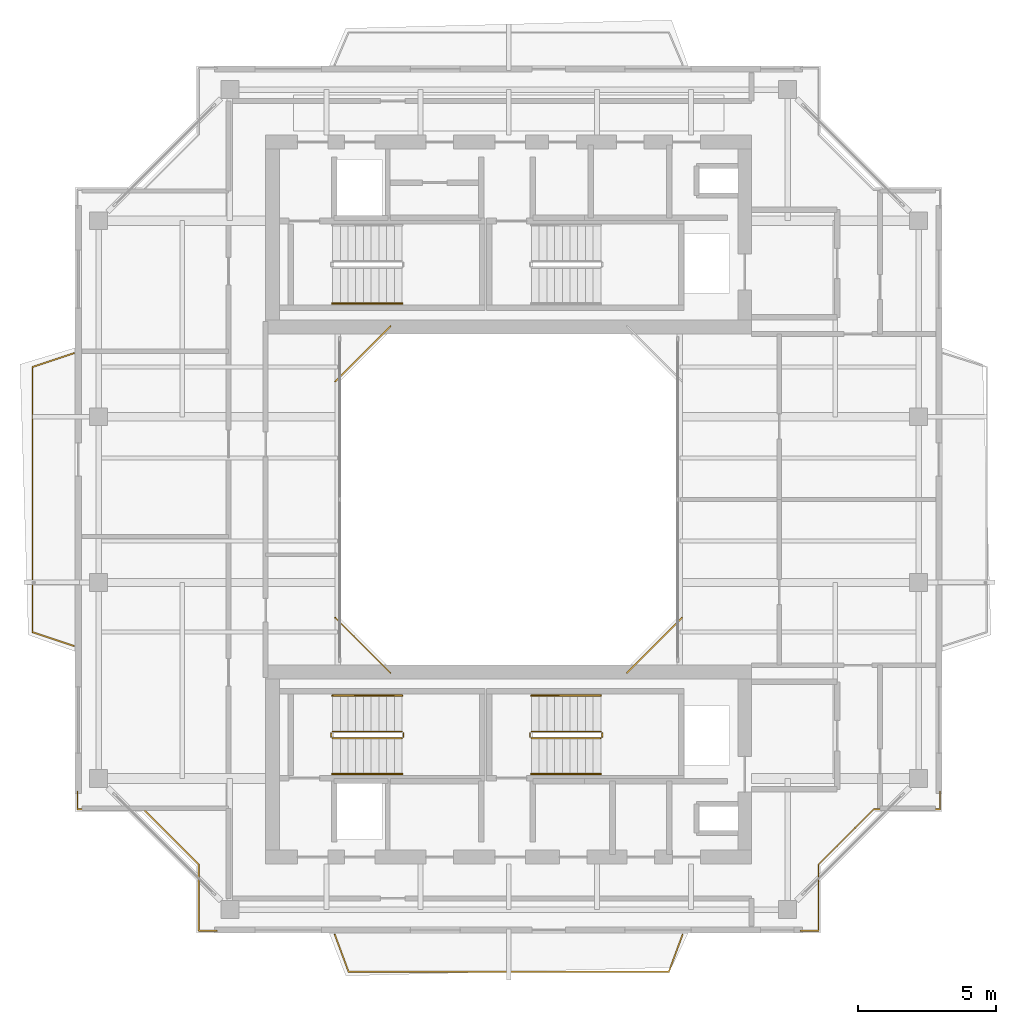
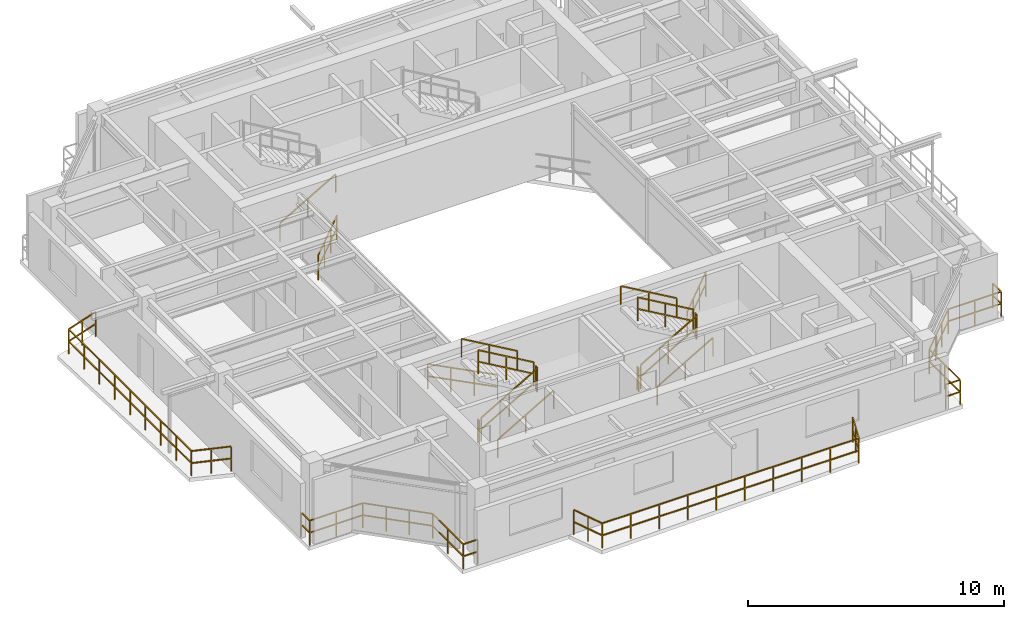
# One storey, part 13 of 14: 20 railings.
"""IFC4 building model written with IfcOpenShell, lengths in metres."""

import ifcopenshell
import ifcopenshell.guid

model = None  # the IFC model being written
_history = None  # IfcOwnerHistory: only IFC2X3 demands one
_inside = {}  # id of a spatial element -> (the spatial element, [elements in it])
_under = {}  # id of a project, library or spatial element -> (it, [spatial elements below it])
_declared = {}  # id of a project -> (the project, [libraries it declares])
_typed = {}  # id of a type object -> (the type object, [elements of that type])
_made_of = {}  # id of a material, layer set ... -> (it, [elements and type objects made of it])


def new_model(schema):
    """Start an empty IFC model of exactly this schema.

    Asked for "IFC4X3", IfcOpenShell would pick the latest addendum, in which some entities
    have other attributes; the version numbers below select the first issue.
    IFC2X3 requires an IfcOwnerHistory on every rooted entity: one is made here for all.
    """
    global model, _history
    if schema == "IFC4X3":
        model = ifcopenshell.file(schema_version=(4, 3, 0, 0))
    else:
        model = ifcopenshell.file(schema=schema)
    _inside.clear()
    _under.clear()
    _declared.clear()
    _typed.clear()
    _made_of.clear()
    _history = None
    if model.schema == "IFC2X3":
        org = make("IfcOrganization", Name="unknown")
        user = make(
            "IfcPersonAndOrganization",
            ThePerson=make("IfcPerson", FamilyName="unknown"),
            TheOrganization=org,
        )
        app = make(
            "IfcApplication",
            ApplicationDeveloper=org,
            Version="unknown",
            ApplicationFullName="unknown",
            ApplicationIdentifier="unknown",
        )
        _history = make(
            "IfcOwnerHistory",
            OwningUser=user,
            OwningApplication=app,
            ChangeAction="ADDED",
            CreationDate=0,
        )
    return model


def make(cls, **values):
    """One entity of the class cls with the attributes given. An attribute that is None is left unset."""
    return model.create_entity(
        cls, **{name: value for name, value in values.items() if value is not None}
    )


def rooted(cls, **values):
    """An entity with a GlobalId (a new one), such as an element, a storey or a relation."""
    return make(cls, GlobalId=ifcopenshell.guid.new(), OwnerHistory=_history, **values)


def si_unit(unit_type, name, prefix=None):
    """IfcSIUnit, for example si_unit("LENGTHUNIT", "METRE", prefix="MILLI")."""
    return make("IfcSIUnit", UnitType=unit_type, Prefix=prefix, Name=name)


def assignment(units):
    """IfcUnitAssignment: the units of a project."""
    return None if units is None else make("IfcUnitAssignment", Units=units)


def point(xyz):
    """IfcCartesianPoint."""
    return None if xyz is None else make("IfcCartesianPoint", Coordinates=xyz)


def direction(xyz):
    """IfcDirection."""
    return None if xyz is None else make("IfcDirection", DirectionRatios=xyz)


def frame(location, z_axis=None, x_axis=None):
    """IfcAxis2Placement3D, a coordinate frame: its origin and axes. An axis left out is left unset."""
    return make(
        "IfcAxis2Placement3D",
        Location=point(location),
        Axis=direction(z_axis),
        RefDirection=direction(x_axis),
    )


def frame_2d(location, x_axis=None):
    """IfcAxis2Placement2D, a coordinate frame in the plane: its origin and x axis."""
    return make(
        "IfcAxis2Placement2D", Location=point(location), RefDirection=direction(x_axis)
    )


def origin():
    """The frame at (0, 0, 0) with its axes left unset."""
    return frame((0.0, 0.0, 0.0))


def origin_2d():
    """The frame at (0, 0) in the plane with its x axis left unset."""
    return frame_2d((0.0, 0.0))


def place(relative_to, where):
    """IfcLocalPlacement: puts the frame where relative to a parent placement (None: the world)."""
    return make(
        "IfcLocalPlacement", PlacementRelTo=relative_to, RelativePlacement=where
    )


def context(
    kind, dimensions, precision=None, world=None, true_north=None, identifier=None
):
    """IfcGeometricRepresentationContext, for example the 3D "Model" context."""
    return make(
        "IfcGeometricRepresentationContext",
        ContextIdentifier=identifier,
        ContextType=kind,
        CoordinateSpaceDimension=dimensions,
        Precision=precision,
        WorldCoordinateSystem=world,
        TrueNorth=true_north,
    )


def subcontext(parent, identifier, kind, view, scale=None):
    """IfcGeometricRepresentationSubContext, for example "Body" below "Model"."""
    return make(
        "IfcGeometricRepresentationSubContext",
        ContextIdentifier=identifier,
        ContextType=kind,
        ParentContext=parent,
        TargetScale=scale,
        TargetView=view,
    )


def project(units=None, contexts=None):
    """IfcProject with its units and contexts."""
    return rooted(
        "IfcProject",
        Name="project",
        RepresentationContexts=contexts,
        UnitsInContext=assignment(units),
    )


def spatial(cls, under=None, at=None, **own):
    """A site, building, storey or space (cls), placed at a placement, below another one or the project."""
    s = rooted(cls, ObjectPlacement=at, **own)
    if under is not None:
        _under.setdefault(under.id(), (under, []))[1].append(s)
    return s


def profile(cls, at=None, kind="AREA", **sizes):
    """A parametric profile (cls). Its sizes go by their IFC names, for example OverallWidth=200.0."""
    return make(cls, ProfileType=kind, Position=at, **sizes)


def rectangle(**sizes):
    """IfcRectangleProfileDef."""
    return profile("IfcRectangleProfileDef", **sizes)


def extrude(swept, where, along, depth):
    """IfcExtrudedAreaSolid: the profile swept, set in the frame where, extruded along a direction by depth."""
    return make(
        "IfcExtrudedAreaSolid",
        SweptArea=swept,
        Position=where,
        ExtrudedDirection=direction(along),
        Depth=depth,
    )


def shape(context_of_items, identifier, shape_type, items):
    """IfcShapeRepresentation: the items that make up one representation, for example the "Body"."""
    return make(
        "IfcShapeRepresentation",
        ContextOfItems=context_of_items,
        RepresentationIdentifier=identifier,
        RepresentationType=shape_type,
        Items=items,
    )


def material(Name=None, Category=None):
    """IfcMaterial."""
    return make("IfcMaterial", Name=Name, Category=Category)


def made_of(thing, what):
    """Note that an element or type object is made of a material, layer set ...; save() writes the relation."""
    if what is not None:
        _made_of.setdefault(what.id(), (what, []))[1].append(thing)
    return thing


def type_object(cls, material=None, **own):
    """A type object (cls), such as IfcWallType, which elements share."""
    return made_of(rooted(cls, **own), material)


def element(
    cls,
    number,
    at=None,
    inside=None,
    cuts=None,
    type_object=None,
    material=None,
    context=None,
    identifier="Body",
    shape_type=None,
    held_by="IfcProductDefinitionShape",
    body=None,
    shapes=None,
    **own,
):
    """One element of the class cls, such as IfcWall. Its Tag is "e" and its number.

    at: its placement. inside: the storey or other place that contains it. cuts: it is an
    opening in that element (IfcRelVoidsElement). A single representation is given by context,
    identifier, shape_type and body (its items); several are given by shapes. held_by: the class
    of the entity that holds the representations. save() writes the other relations.
    """
    e = rooted(cls, Tag="e%d" % number, ObjectPlacement=at, **own)
    if body is not None:
        shapes = [shape(context, identifier, shape_type, body)]
    if shapes is not None:
        e.Representation = make(held_by, Representations=shapes)
    if inside is not None:
        _inside.setdefault(inside.id(), (inside, []))[1].append(e)
    if cuts is not None:
        rooted(
            "IfcRelVoidsElement", RelatingBuildingElement=cuts, RelatedOpeningElement=e
        )
    if type_object is not None:
        _typed.setdefault(type_object.id(), (type_object, []))[1].append(e)
    return made_of(e, material)


def aggregate(whole, parts):
    """IfcRelAggregates: a whole, such as a stair, and the parts it consists of."""
    return rooted("IfcRelAggregates", RelatingObject=whole, RelatedObjects=parts)


def save(model, path):
    """Write the relations noted so far, then the file.

    IfcRelAggregates (storeys below a building ...), IfcRelContainedInSpatialStructure (elements
    in a storey), IfcRelDefinesByType, IfcRelAssociatesMaterial and IfcRelDeclares: one each for
    every whole, place, type object, material and project.
    """
    for whole, parts in _under.values():
        aggregate(whole, parts)
    for where, things in _inside.values():
        rooted(
            "IfcRelContainedInSpatialStructure",
            RelatedElements=things,
            RelatingStructure=where,
        )
    for kind, things in _typed.values():
        rooted("IfcRelDefinesByType", RelatedObjects=things, RelatingType=kind)
    for what, things in _made_of.values():
        rooted("IfcRelAssociatesMaterial", RelatedObjects=things, RelatingMaterial=what)
    for by, libraries in _declared.values():
        rooted("IfcRelDeclares", RelatingContext=by, RelatedDefinitions=libraries)
    model.write(path)


model = new_model("IFC4")

# Units and contexts
model_context = context("Model", 3, precision=1e-05, world=origin(), true_north=direction((0.0, 1.0)))
body_context = subcontext(model_context, "Body", "Model", "MODEL_VIEW")
ifc_project = project(units=[si_unit("LENGTHUNIT", "METRE"), si_unit("AREAUNIT", "SQUARE_METRE"), si_unit("VOLUMEUNIT", "CUBIC_METRE"), si_unit("PLANEANGLEUNIT", "RADIAN"), si_unit("MASSUNIT", "GRAM", prefix="KILO"), si_unit("THERMODYNAMICTEMPERATUREUNIT", "KELVIN"), si_unit("POWERUNIT", "WATT")], contexts=[model_context])

# Site, building, storey
site_placement = place(None, origin())
site = spatial("IfcSite", under=ifc_project, at=site_placement, CompositionType="ELEMENT")
building_placement = place(site_placement, origin())
building = spatial("IfcBuilding", under=site, at=building_placement, Name="Qiaomeng Ring Towers", CompositionType="ELEMENT")
storey_placement = place(building_placement, frame((0.0, 0.0, 240.5)))
storey = spatial("IfcBuildingStorey", under=building, at=storey_placement, Name="L70", CompositionType="ELEMENT", Elevation=240.5)

# Railings
ifc_material_1 = material(Name="Low-E pale-green laminated safety glass", Category="glass")
railing_type_1 = type_object("IfcRailingType", Name="ARC-RL-BAL1", PredefinedType="BALUSTRADE", material=ifc_material_1)
railing_1_placement = place(storey_placement, frame((23.280029296875, 16.719970703125, 0.0)))
element("IfcRailing", 1, at=railing_1_placement, inside=storey, type_object=railing_type_1, Name="L70 Balustrade ARC-BAL-WELL1-L70-1", PredefinedType="BALUSTRADE", context=body_context, shape_type="SweptSolid", body=[
    extrude(rectangle(XDim=0.048095703125, YDim=0.048095703125, at=origin_2d()), frame((0.0, 0.0, 1.17578125), z_axis=(0.707106781187, 0.707106781187, 0.0), x_axis=(-0.707106781187, 0.707106781187, 0.0)), (0.0, 0.0, 1.0), 2.828369140625),
    extrude(rectangle(XDim=0.048095703125, YDim=0.048095703125, at=origin_2d()), frame((0.0, 0.0, 0.60009765625), z_axis=(0.707106781187, 0.707106781187, 0.0), x_axis=(-0.707106781187, 0.707106781187, 0.0)), (0.0, 0.0, 1.0), 2.828369140625),
    extrude(rectangle(XDim=0.0419921875, YDim=0.0419921875, at=origin_2d()), origin(), (0.0, 0.0, 1.0), 1.15185546875),
    extrude(rectangle(XDim=0.0419921875, YDim=0.0419921875, at=origin_2d()), frame((0.666748046875, 0.666748046875, 0.0)), (0.0, 0.0, 1.0), 1.15185546875),
    extrude(rectangle(XDim=0.0419921875, YDim=0.0419921875, at=origin_2d()), frame((1.333251953125, 1.333251953125, 0.0)), (0.0, 0.0, 1.0), 1.15185546875),
    extrude(rectangle(XDim=0.0419921875, YDim=0.0419921875, at=origin_2d()), frame((2.0, 2.0, 0.0)), (0.0, 0.0, 1.0), 1.15185546875),
])
railing_2_placement = place(storey_placement, frame((14.719970703125, 29.280029296875, 0.0)))
element("IfcRailing", 2, at=railing_2_placement, inside=storey, type_object=railing_type_1, Name="L70 Balustrade ARC-BAL-WELL1-L70-3", PredefinedType="BALUSTRADE", context=body_context, shape_type="SweptSolid", body=[
    extrude(rectangle(XDim=0.048095703125, YDim=0.048095703125, at=origin_2d()), frame((0.0, 0.0, 1.17578125), z_axis=(-0.707106781187, -0.707106781187, 0.0), x_axis=(0.707106781187, -0.707106781187, 0.0)), (0.0, 0.0, 1.0), 2.828369140625),
    extrude(rectangle(XDim=0.048095703125, YDim=0.048095703125, at=origin_2d()), frame((0.0, 0.0, 0.60009765625), z_axis=(-0.707106781187, -0.707106781187, 0.0), x_axis=(0.707106781187, -0.707106781187, 0.0)), (0.0, 0.0, 1.0), 2.828369140625),
    extrude(rectangle(XDim=0.0419921875, YDim=0.0419921875, at=origin_2d()), origin(), (0.0, 0.0, 1.0), 1.15185546875),
    extrude(rectangle(XDim=0.0419921875, YDim=0.0419921875, at=origin_2d()), frame((-0.666748046875, -0.666748046875, 0.0)), (0.0, 0.0, 1.0), 1.15185546875),
    extrude(rectangle(XDim=0.0419921875, YDim=0.0419921875, at=origin_2d()), frame((-1.333251953125, -1.333251953125, 0.0)), (0.0, 0.0, 1.0), 1.15185546875),
    extrude(rectangle(XDim=0.0419921875, YDim=0.0419921875, at=origin_2d()), frame((-2.0, -2.0, 0.0)), (0.0, 0.0, 1.0), 1.15185546875),
])
railing_3_placement = place(storey_placement, frame((12.719970703125, 18.719970703125, 0.0)))
element("IfcRailing", 3, at=railing_3_placement, inside=storey, type_object=railing_type_1, Name="L70 Balustrade ARC-BAL-WELL1-L70-4", PredefinedType="BALUSTRADE", context=body_context, shape_type="SweptSolid", body=[
    extrude(rectangle(XDim=0.048095703125, YDim=0.048095703125, at=origin_2d()), frame((0.0, 0.0, 1.17578125), z_axis=(0.707106781187, -0.707106781187, 0.0), x_axis=(0.707106781187, 0.707106781187, 0.0)), (0.0, 0.0, 1.0), 2.828369140625),
    extrude(rectangle(XDim=0.048095703125, YDim=0.048095703125, at=origin_2d()), frame((0.0, 0.0, 0.60009765625), z_axis=(0.707106781187, -0.707106781187, 0.0), x_axis=(0.707106781187, 0.707106781187, 0.0)), (0.0, 0.0, 1.0), 2.828369140625),
    extrude(rectangle(XDim=0.0419921875, YDim=0.0419921875, at=origin_2d()), origin(), (0.0, 0.0, 1.0), 1.15185546875),
    extrude(rectangle(XDim=0.0419921875, YDim=0.0419921875, at=origin_2d()), frame((0.666748046875, -0.666748046875, 0.0)), (0.0, 0.0, 1.0), 1.15185546875),
    extrude(rectangle(XDim=0.0419921875, YDim=0.0419921875, at=origin_2d()), frame((1.333251953125, -1.333251953125, 0.0)), (0.0, 0.0, 1.0), 1.15185546875),
    extrude(rectangle(XDim=0.0419921875, YDim=0.0419921875, at=origin_2d()), frame((2.0, -2.0, 0.0)), (0.0, 0.0, 1.0), 1.15185546875),
])
railing_4_placement = place(storey_placement, frame((29.570068359375, 7.3798828125, 0.0)))
element("IfcRailing", 4, at=railing_4_placement, inside=storey, type_object=railing_type_1, Name="L70 Balustrade ARC-BAL-NOTCH1-L70-SE", PredefinedType="BALUSTRADE", context=body_context, shape_type="SweptSolid", body=[
    extrude(rectangle(XDim=0.048095703125, YDim=0.048095703125, at=origin_2d()), frame((0.0, 0.0, 1.17578125), z_axis=(1.0, 0.0, 0.0), x_axis=(0.0, 1.0, 0.0)), (0.0, 0.0, 1.0), 0.64990234375),
    extrude(rectangle(XDim=0.048095703125, YDim=0.048095703125, at=origin_2d()), frame((0.0, 0.0, 0.60009765625), z_axis=(1.0, 0.0, 0.0), x_axis=(0.0, 1.0, 0.0)), (0.0, 0.0, 1.0), 0.64990234375),
    extrude(rectangle(XDim=0.048095703125, YDim=0.048095703125, at=origin_2d()), frame((0.64990234375, 0.0, 1.17578125), z_axis=(0.0, 1.0, 0.0), x_axis=(-1.0, 0.0, 0.0)), (0.0, 0.0, 1.0), 2.400146484375),
    extrude(rectangle(XDim=0.048095703125, YDim=0.048095703125, at=origin_2d()), frame((0.64990234375, 0.0, 0.60009765625), z_axis=(0.0, 1.0, 0.0), x_axis=(-1.0, 0.0, 0.0)), (0.0, 0.0, 1.0), 2.400146484375),
    extrude(rectangle(XDim=0.048095703125, YDim=0.048095703125, at=origin_2d()), frame((0.64990234375, 2.400146484375, 1.17578125), z_axis=(0.707106781187, 0.707106781187, 0.0), x_axis=(-0.707106781187, 0.707106781187, 0.0)), (0.0, 0.0, 1.0), 2.828369140625),
    extrude(rectangle(XDim=0.048095703125, YDim=0.048095703125, at=origin_2d()), frame((0.64990234375, 2.400146484375, 0.60009765625), z_axis=(0.707106781187, 0.707106781187, 0.0), x_axis=(-0.707106781187, 0.707106781187, 0.0)), (0.0, 0.0, 1.0), 2.828369140625),
    extrude(rectangle(XDim=0.048095703125, YDim=0.048095703125, at=origin_2d()), frame((2.64990234375, 4.400146484375, 1.17578125), z_axis=(1.0, 0.0, 0.0), x_axis=(0.0, 1.0, 0.0)), (0.0, 0.0, 1.0), 2.400146484375),
    extrude(rectangle(XDim=0.048095703125, YDim=0.048095703125, at=origin_2d()), frame((2.64990234375, 4.400146484375, 0.60009765625), z_axis=(1.0, 0.0, 0.0), x_axis=(0.0, 1.0, 0.0)), (0.0, 0.0, 1.0), 2.400146484375),
    extrude(rectangle(XDim=0.048095703125, YDim=0.048095703125, at=origin_2d()), frame((5.050048828125, 4.400146484375, 1.17578125), z_axis=(0.0, 1.0, 0.0), x_axis=(-1.0, 0.0, 0.0)), (0.0, 0.0, 1.0), 0.64990234375),
    extrude(rectangle(XDim=0.048095703125, YDim=0.048095703125, at=origin_2d()), frame((5.050048828125, 4.400146484375, 0.60009765625), z_axis=(0.0, 1.0, 0.0), x_axis=(-1.0, 0.0, 0.0)), (0.0, 0.0, 1.0), 0.64990234375),
    extrude(rectangle(XDim=0.0419921875, YDim=0.0419921875, at=origin_2d()), origin(), (0.0, 0.0, 1.0), 1.15185546875),
    extrude(rectangle(XDim=0.0419921875, YDim=0.0419921875, at=origin_2d()), frame((0.64990234375, 0.0, 0.0)), (0.0, 0.0, 1.0), 1.15185546875),
    extrude(rectangle(XDim=0.0419921875, YDim=0.0419921875, at=origin_2d()), frame((0.64990234375, 1.2001953125, 0.0)), (0.0, 0.0, 1.0), 1.15185546875),
    extrude(rectangle(XDim=0.0419921875, YDim=0.0419921875, at=origin_2d()), frame((0.64990234375, 2.400146484375, 0.0)), (0.0, 0.0, 1.0), 1.15185546875),
    extrude(rectangle(XDim=0.0419921875, YDim=0.0419921875, at=origin_2d()), frame((1.316650390625, 3.06689453125, 0.0)), (0.0, 0.0, 1.0), 1.15185546875),
    extrude(rectangle(XDim=0.0419921875, YDim=0.0419921875, at=origin_2d()), frame((1.983154296875, 3.7333984375, 0.0)), (0.0, 0.0, 1.0), 1.15185546875),
    extrude(rectangle(XDim=0.0419921875, YDim=0.0419921875, at=origin_2d()), frame((2.64990234375, 4.400146484375, 0.0)), (0.0, 0.0, 1.0), 1.15185546875),
    extrude(rectangle(XDim=0.0419921875, YDim=0.0419921875, at=origin_2d()), frame((3.85009765625, 4.400146484375, 0.0)), (0.0, 0.0, 1.0), 1.15185546875),
    extrude(rectangle(XDim=0.0419921875, YDim=0.0419921875, at=origin_2d()), frame((5.050048828125, 4.400146484375, 0.0)), (0.0, 0.0, 1.0), 1.15185546875),
    extrude(rectangle(XDim=0.0419921875, YDim=0.0419921875, at=origin_2d()), frame((5.050048828125, 5.050048828125, 0.0)), (0.0, 0.0, 1.0), 1.15185546875),
])
railing_5_placement = place(storey_placement, frame((3.3798828125, 12.429931640625, 0.0)))
element("IfcRailing", 5, at=railing_5_placement, inside=storey, type_object=railing_type_1, Name="L70 Balustrade ARC-BAL-NOTCH1-L70-SW", PredefinedType="BALUSTRADE", context=body_context, shape_type="SweptSolid", body=[
    extrude(rectangle(XDim=0.048095703125, YDim=0.048095703125, at=origin_2d()), frame((0.0, 0.0, 1.17578125), z_axis=(0.0, -1.0, 0.0), x_axis=(1.0, 0.0, 0.0)), (0.0, 0.0, 1.0), 0.64990234375),
    extrude(rectangle(XDim=0.048095703125, YDim=0.048095703125, at=origin_2d()), frame((0.0, 0.0, 0.60009765625), z_axis=(0.0, -1.0, 0.0), x_axis=(1.0, 0.0, 0.0)), (0.0, 0.0, 1.0), 0.64990234375),
    extrude(rectangle(XDim=0.048095703125, YDim=0.048095703125, at=origin_2d()), frame((0.0, -0.64990234375, 1.17578125), z_axis=(1.0, 0.0, 0.0), x_axis=(0.0, 1.0, 0.0)), (0.0, 0.0, 1.0), 2.400146484375),
    extrude(rectangle(XDim=0.048095703125, YDim=0.048095703125, at=origin_2d()), frame((0.0, -0.64990234375, 0.60009765625), z_axis=(1.0, 0.0, 0.0), x_axis=(0.0, 1.0, 0.0)), (0.0, 0.0, 1.0), 2.400146484375),
    extrude(rectangle(XDim=0.048095703125, YDim=0.048095703125, at=origin_2d()), frame((2.400146484375, -0.64990234375, 1.17578125), z_axis=(0.707106781187, -0.707106781187, 0.0), x_axis=(0.707106781187, 0.707106781187, 0.0)), (0.0, 0.0, 1.0), 2.828369140625),
    extrude(rectangle(XDim=0.048095703125, YDim=0.048095703125, at=origin_2d()), frame((2.400146484375, -0.64990234375, 0.60009765625), z_axis=(0.707106781187, -0.707106781187, 0.0), x_axis=(0.707106781187, 0.707106781187, 0.0)), (0.0, 0.0, 1.0), 2.828369140625),
    extrude(rectangle(XDim=0.048095703125, YDim=0.048095703125, at=origin_2d()), frame((4.400146484375, -2.64990234375, 1.17578125), z_axis=(0.0, -1.0, 0.0), x_axis=(1.0, 0.0, 0.0)), (0.0, 0.0, 1.0), 2.400146484375),
    extrude(rectangle(XDim=0.048095703125, YDim=0.048095703125, at=origin_2d()), frame((4.400146484375, -2.64990234375, 0.60009765625), z_axis=(0.0, -1.0, 0.0), x_axis=(1.0, 0.0, 0.0)), (0.0, 0.0, 1.0), 2.400146484375),
    extrude(rectangle(XDim=0.048095703125, YDim=0.048095703125, at=origin_2d()), frame((4.400146484375, -5.050048828125, 1.17578125), z_axis=(1.0, 0.0, 0.0), x_axis=(0.0, 1.0, 0.0)), (0.0, 0.0, 1.0), 0.64990234375),
    extrude(rectangle(XDim=0.048095703125, YDim=0.048095703125, at=origin_2d()), frame((4.400146484375, -5.050048828125, 0.60009765625), z_axis=(1.0, 0.0, 0.0), x_axis=(0.0, 1.0, 0.0)), (0.0, 0.0, 1.0), 0.64990234375),
    extrude(rectangle(XDim=0.0419921875, YDim=0.0419921875, at=origin_2d()), origin(), (0.0, 0.0, 1.0), 1.15185546875),
    extrude(rectangle(XDim=0.0419921875, YDim=0.0419921875, at=origin_2d()), frame((0.0, -0.64990234375, 0.0)), (0.0, 0.0, 1.0), 1.15185546875),
    extrude(rectangle(XDim=0.0419921875, YDim=0.0419921875, at=origin_2d()), frame((1.2001953125, -0.64990234375, 0.0)), (0.0, 0.0, 1.0), 1.15185546875),
    extrude(rectangle(XDim=0.0419921875, YDim=0.0419921875, at=origin_2d()), frame((2.400146484375, -0.64990234375, 0.0)), (0.0, 0.0, 1.0), 1.15185546875),
    extrude(rectangle(XDim=0.0419921875, YDim=0.0419921875, at=origin_2d()), frame((3.06689453125, -1.316650390625, 0.0)), (0.0, 0.0, 1.0), 1.15185546875),
    extrude(rectangle(XDim=0.0419921875, YDim=0.0419921875, at=origin_2d()), frame((3.7333984375, -1.983154296875, 0.0)), (0.0, 0.0, 1.0), 1.15185546875),
    extrude(rectangle(XDim=0.0419921875, YDim=0.0419921875, at=origin_2d()), frame((4.400146484375, -2.64990234375, 0.0)), (0.0, 0.0, 1.0), 1.15185546875),
    extrude(rectangle(XDim=0.0419921875, YDim=0.0419921875, at=origin_2d()), frame((4.400146484375, -3.85009765625, 0.0)), (0.0, 0.0, 1.0), 1.15185546875),
    extrude(rectangle(XDim=0.0419921875, YDim=0.0419921875, at=origin_2d()), frame((4.400146484375, -5.050048828125, 0.0)), (0.0, 0.0, 1.0), 1.15185546875),
    extrude(rectangle(XDim=0.0419921875, YDim=0.0419921875, at=origin_2d()), frame((5.050048828125, -5.050048828125, 0.0)), (0.0, 0.0, 1.0), 1.15185546875),
])
railing_6_placement = place(storey_placement, frame((12.699951171875, 7.25, 0.0)))
element("IfcRailing", 6, at=railing_6_placement, inside=storey, type_object=railing_type_1, Name="L70 Balustrade ARC-BAL-L70-T1-S", PredefinedType="BALUSTRADE", context=body_context, shape_type="SweptSolid", body=[
    extrude(rectangle(XDim=0.048095703125, YDim=0.048095703125, at=origin_2d()), frame((0.0, 0.0, 1.17578125), z_axis=(0.34729226376, -0.937756942673, 0.0), x_axis=(0.937756942673, 0.34729226376, 0.0)), (0.0, 0.0, 1.0), 1.439697265625),
    extrude(rectangle(XDim=0.048095703125, YDim=0.048095703125, at=origin_2d()), frame((0.0, 0.0, 0.60009765625), z_axis=(0.34729226376, -0.937756942673, 0.0), x_axis=(0.937756942673, 0.34729226376, 0.0)), (0.0, 0.0, 1.0), 1.439697265625),
    extrude(rectangle(XDim=0.048095703125, YDim=0.048095703125, at=origin_2d()), frame((0.5, -1.35009765625, 1.17578125), z_axis=(1.0, 0.0, 0.0), x_axis=(0.0, 1.0, 0.0)), (0.0, 0.0, 1.0), 11.60009765625),
    extrude(rectangle(XDim=0.048095703125, YDim=0.048095703125, at=origin_2d()), frame((0.5, -1.35009765625, 0.60009765625), z_axis=(1.0, 0.0, 0.0), x_axis=(0.0, 1.0, 0.0)), (0.0, 0.0, 1.0), 11.60009765625),
    extrude(rectangle(XDim=0.048095703125, YDim=0.048095703125, at=origin_2d()), frame((12.10009765625, -1.35009765625, 1.17578125), z_axis=(0.34729226376, 0.937756942673, 0.0), x_axis=(-0.937756942673, 0.34729226376, 0.0)), (0.0, 0.0, 1.0), 1.439697265625),
    extrude(rectangle(XDim=0.048095703125, YDim=0.048095703125, at=origin_2d()), frame((12.10009765625, -1.35009765625, 0.60009765625), z_axis=(0.34729226376, 0.937756942673, 0.0), x_axis=(-0.937756942673, 0.34729226376, 0.0)), (0.0, 0.0, 1.0), 1.439697265625),
    extrude(rectangle(XDim=0.0419921875, YDim=0.0419921875, at=origin_2d()), origin(), (0.0, 0.0, 1.0), 1.15185546875),
    extrude(rectangle(XDim=0.0419921875, YDim=0.0419921875, at=origin_2d()), frame((0.25, -0.675048828125, 0.0)), (0.0, 0.0, 1.0), 1.15185546875),
    extrude(rectangle(XDim=0.0419921875, YDim=0.0419921875, at=origin_2d()), frame((0.5, -1.35009765625, 0.0)), (0.0, 0.0, 1.0), 1.15185546875),
    extrude(rectangle(XDim=0.0419921875, YDim=0.0419921875, at=origin_2d()), frame((1.788818359375, -1.35009765625, 0.0)), (0.0, 0.0, 1.0), 1.15185546875),
    extrude(rectangle(XDim=0.0419921875, YDim=0.0419921875, at=origin_2d()), frame((3.077880859375, -1.35009765625, 0.0)), (0.0, 0.0, 1.0), 1.15185546875),
    extrude(rectangle(XDim=0.0419921875, YDim=0.0419921875, at=origin_2d()), frame((4.36669921875, -1.35009765625, 0.0)), (0.0, 0.0, 1.0), 1.15185546875),
    extrude(rectangle(XDim=0.0419921875, YDim=0.0419921875, at=origin_2d()), frame((5.655517578125, -1.35009765625, 0.0)), (0.0, 0.0, 1.0), 1.15185546875),
    extrude(rectangle(XDim=0.0419921875, YDim=0.0419921875, at=origin_2d()), frame((6.944580078125, -1.35009765625, 0.0)), (0.0, 0.0, 1.0), 1.15185546875),
    extrude(rectangle(XDim=0.0419921875, YDim=0.0419921875, at=origin_2d()), frame((8.2333984375, -1.35009765625, 0.0)), (0.0, 0.0, 1.0), 1.15185546875),
    extrude(rectangle(XDim=0.0419921875, YDim=0.0419921875, at=origin_2d()), frame((9.522216796875, -1.35009765625, 0.0)), (0.0, 0.0, 1.0), 1.15185546875),
    extrude(rectangle(XDim=0.0419921875, YDim=0.0419921875, at=origin_2d()), frame((10.811279296875, -1.35009765625, 0.0)), (0.0, 0.0, 1.0), 1.15185546875),
    extrude(rectangle(XDim=0.0419921875, YDim=0.0419921875, at=origin_2d()), frame((12.10009765625, -1.35009765625, 0.0)), (0.0, 0.0, 1.0), 1.15185546875),
    extrude(rectangle(XDim=0.0419921875, YDim=0.0419921875, at=origin_2d()), frame((12.35009765625, -0.675048828125, 0.0)), (0.0, 0.0, 1.0), 1.15185546875),
    extrude(rectangle(XDim=0.0419921875, YDim=0.0419921875, at=origin_2d()), frame((12.60009765625, 0.0, 0.0)), (0.0, 0.0, 1.0), 1.15185546875),
])
railing_7_placement = place(storey_placement, frame((3.25, 17.699951171875, 0.0)))
element("IfcRailing", 7, at=railing_7_placement, inside=storey, type_object=railing_type_1, Name="L70 Balustrade ARC-BAL-L70-T1-W", PredefinedType="BALUSTRADE", context=body_context, shape_type="SweptSolid", body=[
    extrude(rectangle(XDim=0.048095703125, YDim=0.048095703125, at=origin_2d()), frame((0.0, 0.0, 1.17578125), z_axis=(-0.948683298051, 0.316227766017, 0.0), x_axis=(-0.316227766017, -0.948683298051, 0.0)), (0.0, 0.0, 1.0), 1.5810546875),
    extrude(rectangle(XDim=0.048095703125, YDim=0.048095703125, at=origin_2d()), frame((0.0, 0.0, 0.60009765625), z_axis=(-0.948683298051, 0.316227766017, 0.0), x_axis=(-0.316227766017, -0.948683298051, 0.0)), (0.0, 0.0, 1.0), 1.5810546875),
    extrude(rectangle(XDim=0.048095703125, YDim=0.048095703125, at=origin_2d()), frame((-1.5, 0.5, 1.17578125), z_axis=(0.0, 1.0, 0.0), x_axis=(-1.0, 0.0, 0.0)), (0.0, 0.0, 1.0), 9.60009765625),
    extrude(rectangle(XDim=0.048095703125, YDim=0.048095703125, at=origin_2d()), frame((-1.5, 0.5, 0.60009765625), z_axis=(0.0, 1.0, 0.0), x_axis=(-1.0, 0.0, 0.0)), (0.0, 0.0, 1.0), 9.60009765625),
    extrude(rectangle(XDim=0.048095703125, YDim=0.048095703125, at=origin_2d()), frame((-1.5, 10.10009765625, 1.17578125), z_axis=(0.948683298051, 0.316227766017, 0.0), x_axis=(-0.316227766017, 0.948683298051, 0.0)), (0.0, 0.0, 1.0), 1.5810546875),
    extrude(rectangle(XDim=0.048095703125, YDim=0.048095703125, at=origin_2d()), frame((-1.5, 10.10009765625, 0.60009765625), z_axis=(0.948683298051, 0.316227766017, 0.0), x_axis=(-0.316227766017, 0.948683298051, 0.0)), (0.0, 0.0, 1.0), 1.5810546875),
    extrude(rectangle(XDim=0.0419921875, YDim=0.0419921875, at=origin_2d()), origin(), (0.0, 0.0, 1.0), 1.15185546875),
    extrude(rectangle(XDim=0.0419921875, YDim=0.0419921875, at=origin_2d()), frame((-0.75, 0.25, 0.0)), (0.0, 0.0, 1.0), 1.15185546875),
    extrude(rectangle(XDim=0.0419921875, YDim=0.0419921875, at=origin_2d()), frame((-1.5, 0.5, 0.0)), (0.0, 0.0, 1.0), 1.15185546875),
    extrude(rectangle(XDim=0.0419921875, YDim=0.0419921875, at=origin_2d()), frame((-1.5, 1.699951171875, 0.0)), (0.0, 0.0, 1.0), 1.15185546875),
    extrude(rectangle(XDim=0.0419921875, YDim=0.0419921875, at=origin_2d()), frame((-1.5, 2.89990234375, 0.0)), (0.0, 0.0, 1.0), 1.15185546875),
    extrude(rectangle(XDim=0.0419921875, YDim=0.0419921875, at=origin_2d()), frame((-1.5, 4.10009765625, 0.0)), (0.0, 0.0, 1.0), 1.15185546875),
    extrude(rectangle(XDim=0.0419921875, YDim=0.0419921875, at=origin_2d()), frame((-1.5, 5.300048828125, 0.0)), (0.0, 0.0, 1.0), 1.15185546875),
    extrude(rectangle(XDim=0.0419921875, YDim=0.0419921875, at=origin_2d()), frame((-1.5, 6.5, 0.0)), (0.0, 0.0, 1.0), 1.15185546875),
    extrude(rectangle(XDim=0.0419921875, YDim=0.0419921875, at=origin_2d()), frame((-1.5, 7.7001953125, 0.0)), (0.0, 0.0, 1.0), 1.15185546875),
    extrude(rectangle(XDim=0.0419921875, YDim=0.0419921875, at=origin_2d()), frame((-1.5, 8.900146484375, 0.0)), (0.0, 0.0, 1.0), 1.15185546875),
    extrude(rectangle(XDim=0.0419921875, YDim=0.0419921875, at=origin_2d()), frame((-1.5, 10.10009765625, 0.0)), (0.0, 0.0, 1.0), 1.15185546875),
    extrude(rectangle(XDim=0.0419921875, YDim=0.0419921875, at=origin_2d()), frame((-0.75, 10.35009765625, 0.0)), (0.0, 0.0, 1.0), 1.15185546875),
    extrude(rectangle(XDim=0.0419921875, YDim=0.0419921875, at=origin_2d()), frame((0.0, 10.60009765625, 0.0)), (0.0, 0.0, 1.0), 1.15185546875),
])
ifc_material_2 = material(Name="Galvanised steel", Category="steel")
railing_type_2 = type_object("IfcRailingType", Name="ARC-RL-GUARD", PredefinedType="GUARDRAIL", material=ifc_material_2)
railing_8_placement = place(storey_placement, frame((12.6201171875, 14.360107421875, 0.16259765625)))
element("IfcRailing", 8, at=railing_8_placement, inside=storey, type_object=railing_type_2, Name="L70 ST3 stair guard 1", PredefinedType="GUARDRAIL", context=body_context, shape_type="SweptSolid", body=[
    extrude(rectangle(XDim=0.048095703125, YDim=0.048095703125, at=origin_2d()), frame((0.0, 0.0, 1.1259765625), z_axis=(0.864892226395, 0.0, 0.501957604506), x_axis=(0.0, 1.0, 0.0)), (0.0, 0.0, 1.0), 2.913330078125),
    extrude(rectangle(XDim=0.048095703125, YDim=0.048095703125, at=origin_2d()), frame((0.0, 0.0, 0.574951171875), z_axis=(0.864892226395, 0.0, 0.501957604506), x_axis=(0.0, 1.0, 0.0)), (0.0, 0.0, 1.0), 2.913330078125),
    extrude(rectangle(XDim=0.0419921875, YDim=0.0419921875, at=origin_2d()), origin(), (0.0, 0.0, 1.0), 1.101806640625),
    extrude(rectangle(XDim=0.0419921875, YDim=0.0419921875, at=origin_2d()), frame((1.259765625, 0.0, 0.731201171875)), (0.0, 0.0, 1.0), 1.101806640625),
    extrude(rectangle(XDim=0.0419921875, YDim=0.0419921875, at=origin_2d()), frame((2.519775390625, 0.0, 1.46240234375)), (0.0, 0.0, 1.0), 1.101806640625),
])
railing_9_placement = place(storey_placement, frame((15.18994140625, 14.409912109375, 1.625)))
element("IfcRailing", 9, at=railing_9_placement, inside=storey, type_object=railing_type_2, Name="L70 ST3 stair guard 2", PredefinedType="GUARDRAIL", context=body_context, shape_type="SweptSolid", body=[
    extrude(rectangle(XDim=0.048095703125, YDim=0.048095703125, at=origin_2d()), frame((0.0, 0.0, 1.1259765625), z_axis=(0.0, 1.0, 0.0), x_axis=(-1.0, 0.0, 0.0)), (0.0, 0.0, 1.0), 0.14013671875),
    extrude(rectangle(XDim=0.048095703125, YDim=0.048095703125, at=origin_2d()), frame((0.0, 0.0, 0.574951171875), z_axis=(0.0, 1.0, 0.0), x_axis=(-1.0, 0.0, 0.0)), (0.0, 0.0, 1.0), 0.14013671875),
    extrude(rectangle(XDim=0.0419921875, YDim=0.0419921875, at=origin_2d()), origin(), (0.0, 0.0, 1.0), 1.101806640625),
    extrude(rectangle(XDim=0.0419921875, YDim=0.0419921875, at=origin_2d()), frame((0.0, 0.14013671875, 0.0)), (0.0, 0.0, 1.0), 1.101806640625),
])
railing_10_placement = place(storey_placement, frame((15.139892578125, 14.60009765625, 1.78759765625)))
element("IfcRailing", 10, at=railing_10_placement, inside=storey, type_object=railing_type_2, Name="L70 ST3 stair guard 3", PredefinedType="GUARDRAIL", context=body_context, shape_type="SweptSolid", body=[
    extrude(rectangle(XDim=0.048095703125, YDim=0.048095703125, at=origin_2d()), frame((0.0, 0.0, 1.1259765625), z_axis=(-0.864892226395, 0.0, 0.501957604506), x_axis=(0.0, -1.0, 0.0)), (0.0, 0.0, 1.0), 2.913330078125),
    extrude(rectangle(XDim=0.048095703125, YDim=0.048095703125, at=origin_2d()), frame((0.0, 0.0, 0.574951171875), z_axis=(-0.864892226395, 0.0, 0.501957604506), x_axis=(0.0, -1.0, 0.0)), (0.0, 0.0, 1.0), 2.913330078125),
    extrude(rectangle(XDim=0.0419921875, YDim=0.0419921875, at=origin_2d()), origin(), (0.0, 0.0, 1.0), 1.101806640625),
    extrude(rectangle(XDim=0.0419921875, YDim=0.0419921875, at=origin_2d()), frame((-1.259765625, 0.0, 0.731201171875)), (0.0, 0.0, 1.0), 1.101806640625),
    extrude(rectangle(XDim=0.0419921875, YDim=0.0419921875, at=origin_2d()), frame((-2.519775390625, 0.0, 1.46240234375)), (0.0, 0.0, 1.0), 1.101806640625),
])
railing_11_placement = place(storey_placement, frame((12.570068359375, 14.409912109375, 0.0)))
element("IfcRailing", 11, at=railing_11_placement, inside=storey, type_object=railing_type_2, Name="L70 ST3 stair guard 4", PredefinedType="GUARDRAIL", context=body_context, shape_type="SweptSolid", body=[
    extrude(rectangle(XDim=0.048095703125, YDim=0.048095703125, at=origin_2d()), frame((0.0, 0.0, 1.1259765625), z_axis=(0.0, 1.0, 0.0), x_axis=(-1.0, 0.0, 0.0)), (0.0, 0.0, 1.0), 0.14013671875),
    extrude(rectangle(XDim=0.048095703125, YDim=0.048095703125, at=origin_2d()), frame((0.0, 0.0, 0.574951171875), z_axis=(0.0, 1.0, 0.0), x_axis=(-1.0, 0.0, 0.0)), (0.0, 0.0, 1.0), 0.14013671875),
    extrude(rectangle(XDim=0.0419921875, YDim=0.0419921875, at=origin_2d()), origin(), (0.0, 0.0, 1.0), 1.101806640625),
    extrude(rectangle(XDim=0.0419921875, YDim=0.0419921875, at=origin_2d()), frame((0.0, 0.14013671875, 0.0)), (0.0, 0.0, 1.0), 1.101806640625),
])
railing_12_placement = place(storey_placement, frame((19.820068359375, 14.360107421875, 0.16259765625)))
element("IfcRailing", 12, at=railing_12_placement, inside=storey, type_object=railing_type_2, Name="L70 ST4 stair guard 1", PredefinedType="GUARDRAIL", context=body_context, shape_type="SweptSolid", body=[
    extrude(rectangle(XDim=0.048095703125, YDim=0.048095703125, at=origin_2d()), frame((0.0, 0.0, 1.1259765625), z_axis=(0.864913338283, 0.0, 0.50192122615), x_axis=(0.0, 1.0, 0.0)), (0.0, 0.0, 1.0), 2.91357421875),
    extrude(rectangle(XDim=0.048095703125, YDim=0.048095703125, at=origin_2d()), frame((0.0, 0.0, 0.574951171875), z_axis=(0.864913338283, 0.0, 0.50192122615), x_axis=(0.0, 1.0, 0.0)), (0.0, 0.0, 1.0), 2.91357421875),
    extrude(rectangle(XDim=0.0419921875, YDim=0.0419921875, at=origin_2d()), origin(), (0.0, 0.0, 1.0), 1.101806640625),
    extrude(rectangle(XDim=0.0419921875, YDim=0.0419921875, at=origin_2d()), frame((1.260009765625, 0.0, 0.731201171875)), (0.0, 0.0, 1.0), 1.101806640625),
    extrude(rectangle(XDim=0.0419921875, YDim=0.0419921875, at=origin_2d()), frame((2.52001953125, 0.0, 1.46240234375)), (0.0, 0.0, 1.0), 1.101806640625),
])
railing_13_placement = place(storey_placement, frame((22.389892578125, 14.409912109375, 1.625)))
element("IfcRailing", 13, at=railing_13_placement, inside=storey, type_object=railing_type_2, Name="L70 ST4 stair guard 2", PredefinedType="GUARDRAIL", context=body_context, shape_type="SweptSolid", body=[
    extrude(rectangle(XDim=0.048095703125, YDim=0.048095703125, at=origin_2d()), frame((0.0, 0.0, 1.1259765625), z_axis=(0.0, 1.0, 0.0), x_axis=(-1.0, 0.0, 0.0)), (0.0, 0.0, 1.0), 0.14013671875),
    extrude(rectangle(XDim=0.048095703125, YDim=0.048095703125, at=origin_2d()), frame((0.0, 0.0, 0.574951171875), z_axis=(0.0, 1.0, 0.0), x_axis=(-1.0, 0.0, 0.0)), (0.0, 0.0, 1.0), 0.14013671875),
    extrude(rectangle(XDim=0.0419921875, YDim=0.0419921875, at=origin_2d()), origin(), (0.0, 0.0, 1.0), 1.101806640625),
    extrude(rectangle(XDim=0.0419921875, YDim=0.0419921875, at=origin_2d()), frame((0.0, 0.14013671875, 0.0)), (0.0, 0.0, 1.0), 1.101806640625),
])
railing_14_placement = place(storey_placement, frame((22.340087890625, 14.60009765625, 1.78759765625)))
element("IfcRailing", 14, at=railing_14_placement, inside=storey, type_object=railing_type_2, Name="L70 ST4 stair guard 3", PredefinedType="GUARDRAIL", context=body_context, shape_type="SweptSolid", body=[
    extrude(rectangle(XDim=0.048095703125, YDim=0.048095703125, at=origin_2d()), frame((0.0, 0.0, 1.1259765625), z_axis=(-0.864913338283, 0.0, 0.50192122615), x_axis=(0.0, -1.0, 0.0)), (0.0, 0.0, 1.0), 2.91357421875),
    extrude(rectangle(XDim=0.048095703125, YDim=0.048095703125, at=origin_2d()), frame((0.0, 0.0, 0.574951171875), z_axis=(-0.864913338283, 0.0, 0.50192122615), x_axis=(0.0, -1.0, 0.0)), (0.0, 0.0, 1.0), 2.91357421875),
    extrude(rectangle(XDim=0.0419921875, YDim=0.0419921875, at=origin_2d()), origin(), (0.0, 0.0, 1.0), 1.101806640625),
    extrude(rectangle(XDim=0.0419921875, YDim=0.0419921875, at=origin_2d()), frame((-1.260009765625, 0.0, 0.731201171875)), (0.0, 0.0, 1.0), 1.101806640625),
    extrude(rectangle(XDim=0.0419921875, YDim=0.0419921875, at=origin_2d()), frame((-2.52001953125, 0.0, 1.46240234375)), (0.0, 0.0, 1.0), 1.101806640625),
])
railing_15_placement = place(storey_placement, frame((19.77001953125, 14.409912109375, 0.0)))
element("IfcRailing", 15, at=railing_15_placement, inside=storey, type_object=railing_type_2, Name="L70 ST4 stair guard 4", PredefinedType="GUARDRAIL", context=body_context, shape_type="SweptSolid", body=[
    extrude(rectangle(XDim=0.048095703125, YDim=0.048095703125, at=origin_2d()), frame((0.0, 0.0, 1.1259765625), z_axis=(0.0, 1.0, 0.0), x_axis=(-1.0, 0.0, 0.0)), (0.0, 0.0, 1.0), 0.14013671875),
    extrude(rectangle(XDim=0.048095703125, YDim=0.048095703125, at=origin_2d()), frame((0.0, 0.0, 0.574951171875), z_axis=(0.0, 1.0, 0.0), x_axis=(-1.0, 0.0, 0.0)), (0.0, 0.0, 1.0), 0.14013671875),
    extrude(rectangle(XDim=0.0419921875, YDim=0.0419921875, at=origin_2d()), origin(), (0.0, 0.0, 1.0), 1.101806640625),
    extrude(rectangle(XDim=0.0419921875, YDim=0.0419921875, at=origin_2d()), frame((0.0, 0.14013671875, 0.0)), (0.0, 0.0, 1.0), 1.101806640625),
])
ifc_material_3 = material(Name="Stainless steel 316", Category="steel")
railing_type_3 = type_object("IfcRailingType", Name="ARC-RL-HAND", PredefinedType="HANDRAIL", material=ifc_material_3)
for number, where, name in (
    (16, (12.6201171875, 30.10009765625, 0.16259765625), "L70 ST1 stair handrail 1"),
    (17, (12.6201171875, 13.06005859375, 0.16259765625), "L70 ST3 stair handrail 1"),
):
    element("IfcRailing", number, at=place(storey_placement, frame(where)), inside=storey, type_object=railing_type_3, Name=name, PredefinedType="HANDRAIL", context=body_context, shape_type="SweptSolid", body=[
        extrude(rectangle(XDim=0.048095703125, YDim=0.048095703125, at=origin_2d()), frame((0.0, 0.0, 0.8759765625), z_axis=(0.864892226395, 0.0, 0.501957604506), x_axis=(0.0, 1.0, 0.0)), (0.0, 0.0, 1.0), 2.913330078125),
        extrude(rectangle(XDim=0.0419921875, YDim=0.0419921875, at=origin_2d()), origin(), (0.0, 0.0, 1.0), 0.851806640625),
        extrude(rectangle(XDim=0.0419921875, YDim=0.0419921875, at=origin_2d()), frame((1.259765625, 0.0, 0.731201171875)), (0.0, 0.0, 1.0), 0.851806640625),
        extrude(rectangle(XDim=0.0419921875, YDim=0.0419921875, at=origin_2d()), frame((2.519775390625, 0.0, 1.46240234375)), (0.0, 0.0, 1.0), 0.851806640625),
    ])
railing_16_placement = place(storey_placement, frame((15.139892578125, 15.89990234375, 1.78759765625)))
element("IfcRailing", 18, at=railing_16_placement, inside=storey, type_object=railing_type_3, Name="L70 ST3 stair handrail 2", PredefinedType="HANDRAIL", context=body_context, shape_type="SweptSolid", body=[
    extrude(rectangle(XDim=0.048095703125, YDim=0.048095703125, at=origin_2d()), frame((0.0, 0.0, 0.8759765625), z_axis=(-0.864892226395, 0.0, 0.501957604506), x_axis=(0.0, -1.0, 0.0)), (0.0, 0.0, 1.0), 2.913330078125),
    extrude(rectangle(XDim=0.0419921875, YDim=0.0419921875, at=origin_2d()), origin(), (0.0, 0.0, 1.0), 0.851806640625),
    extrude(rectangle(XDim=0.0419921875, YDim=0.0419921875, at=origin_2d()), frame((-1.259765625, 0.0, 0.731201171875)), (0.0, 0.0, 1.0), 0.851806640625),
    extrude(rectangle(XDim=0.0419921875, YDim=0.0419921875, at=origin_2d()), frame((-2.519775390625, 0.0, 1.46240234375)), (0.0, 0.0, 1.0), 0.851806640625),
])
railing_17_placement = place(storey_placement, frame((19.820068359375, 13.06005859375, 0.16259765625)))
element("IfcRailing", 19, at=railing_17_placement, inside=storey, type_object=railing_type_3, Name="L70 ST4 stair handrail 1", PredefinedType="HANDRAIL", context=body_context, shape_type="SweptSolid", body=[
    extrude(rectangle(XDim=0.048095703125, YDim=0.048095703125, at=origin_2d()), frame((0.0, 0.0, 0.8759765625), z_axis=(0.864913338283, 0.0, 0.50192122615), x_axis=(0.0, 1.0, 0.0)), (0.0, 0.0, 1.0), 2.91357421875),
    extrude(rectangle(XDim=0.0419921875, YDim=0.0419921875, at=origin_2d()), origin(), (0.0, 0.0, 1.0), 0.851806640625),
    extrude(rectangle(XDim=0.0419921875, YDim=0.0419921875, at=origin_2d()), frame((1.260009765625, 0.0, 0.731201171875)), (0.0, 0.0, 1.0), 0.851806640625),
    extrude(rectangle(XDim=0.0419921875, YDim=0.0419921875, at=origin_2d()), frame((2.52001953125, 0.0, 1.46240234375)), (0.0, 0.0, 1.0), 0.851806640625),
])
railing_18_placement = place(storey_placement, frame((22.340087890625, 15.89990234375, 1.78759765625)))
element("IfcRailing", 20, at=railing_18_placement, inside=storey, type_object=railing_type_3, Name="L70 ST4 stair handrail 2", PredefinedType="HANDRAIL", context=body_context, shape_type="SweptSolid", body=[
    extrude(rectangle(XDim=0.048095703125, YDim=0.048095703125, at=origin_2d()), frame((0.0, 0.0, 0.8759765625), z_axis=(-0.864913338283, 0.0, 0.50192122615), x_axis=(0.0, -1.0, 0.0)), (0.0, 0.0, 1.0), 2.91357421875),
    extrude(rectangle(XDim=0.0419921875, YDim=0.0419921875, at=origin_2d()), origin(), (0.0, 0.0, 1.0), 0.851806640625),
    extrude(rectangle(XDim=0.0419921875, YDim=0.0419921875, at=origin_2d()), frame((-1.260009765625, 0.0, 0.731201171875)), (0.0, 0.0, 1.0), 0.851806640625),
    extrude(rectangle(XDim=0.0419921875, YDim=0.0419921875, at=origin_2d()), frame((-2.52001953125, 0.0, 1.46240234375)), (0.0, 0.0, 1.0), 0.851806640625),
])

save(model, "model.ifc")
